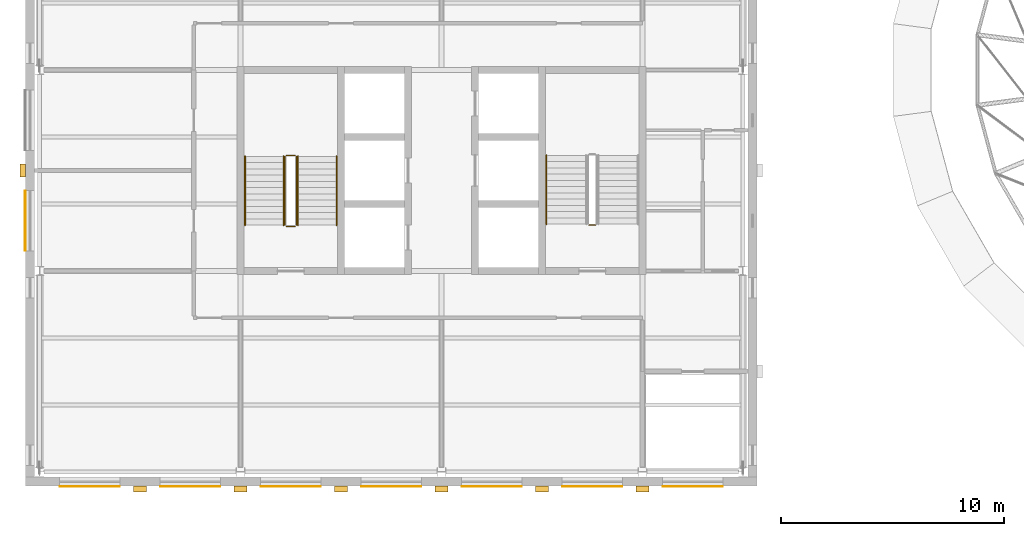
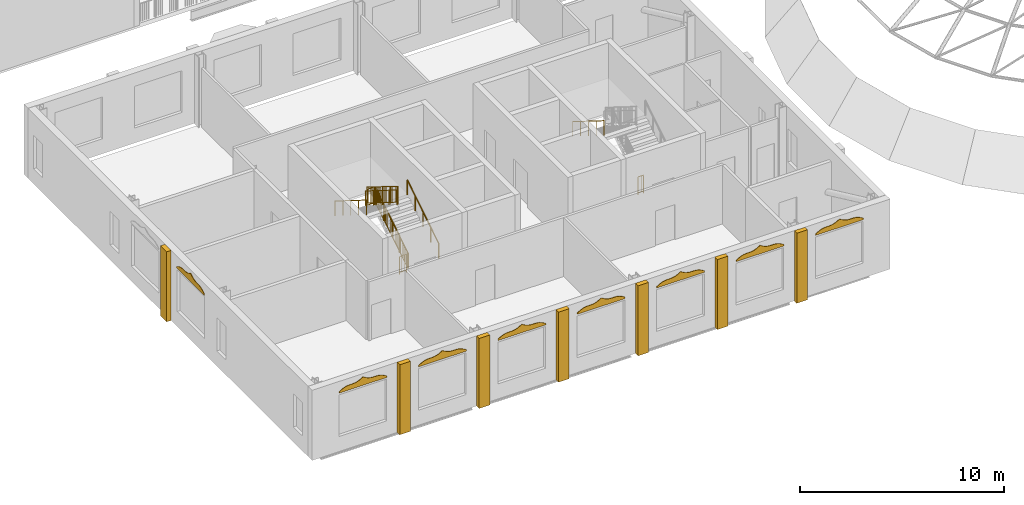
# One storey, part 31 of 33: 15 coverings, 10 railings.
"""IFC4 building model written with IfcOpenShell, lengths in metres."""

from ifc_helpers import new_model, si_unit, direction, frame, origin, origin_2d, place, context, subcontext, project, spatial, polyline, rectangle, circle, outline, extrude, material, layer, layer_set, type_object, element, save


model = new_model("IFC4")

# Units and contexts
model_context = context("Model", 3, precision=1e-05, world=origin(), true_north=direction((0.0, 1.0)))
body_context = subcontext(model_context, "Body", "Model", "MODEL_VIEW")
ifc_project = project(units=[si_unit("LENGTHUNIT", "METRE"), si_unit("AREAUNIT", "SQUARE_METRE"), si_unit("VOLUMEUNIT", "CUBIC_METRE"), si_unit("PLANEANGLEUNIT", "RADIAN"), si_unit("MASSUNIT", "GRAM", prefix="KILO")], contexts=[model_context])

# Site, building, storey
site_placement = place(None, origin())
site = spatial("IfcSite", under=ifc_project, at=site_placement, CompositionType="ELEMENT")
building_placement = place(site_placement, origin())
building = spatial("IfcBuilding", under=site, at=building_placement, Name="Hortulan Conservatory and Botanical Research Centre", CompositionType="ELEMENT")
storey_placement = place(building_placement, frame((0.0, 0.0, 19.199951171875)))
storey = spatial("IfcBuildingStorey", under=building, at=storey_placement, Name="L04", CompositionType="ELEMENT", Elevation=19.199951171875)

# Coverings
ifc_material_1 = material(Name="Faience cladding, cream glaze (non-combustible)", Category="ceramic")
ifc_layer_1 = layer(ifc_material_1, 0.030029296875)
ifc_layer_set_1 = layer_set([ifc_layer_1], Name="Faience Ogee Head Panel Cream 2700x500")
covering_type_1 = type_object("IfcCoveringType", Name="Faience Ogee Head Panel Cream 2700x500", PredefinedType="CLADDING", material=ifc_layer_set_1)
for number, where, z_axis, x_axis, name in (
    (1, (17.10009765625, -0.65087890625, 3.52001953125), (0.0, 0.0, 1.0), (-1.0, 0.0, 0.0), "Ogee head panel"),
    (2, (21.60009765625, -0.65087890625, 3.52001953125), (0.0, 0.0, 1.0), (-1.0, 0.0, 0.0), "Ogee head panel"),
):
    element("IfcCovering", number, at=place(storey_placement, frame(where, z_axis=z_axis, x_axis=x_axis)), inside=storey, type_object=covering_type_1, Name=name, PredefinedType="CLADDING", context=body_context, shape_type="SweptSolid", body=[
        extrude(outline(polyline([(0.0, 0.0), (2.699951171875, 0.0), (2.699951171875, 0.080078125), (2.58740234375, 0.148681640625), (2.47509765625, 0.208251953125), (2.362548828125, 0.252197265625), (2.25, 0.2783203125), (2.137451171875, 0.28857421875), (2.02490234375, 0.2900390625), (1.91259765625, 0.29150390625), (1.800048828125, 0.3017578125), (1.6875, 0.327880859375), (1.574951171875, 0.371826171875), (1.46240234375, 0.431396484375), (1.35009765625, 0.5), (1.237548828125, 0.431396484375), (1.125, 0.371826171875), (1.012451171875, 0.327880859375), (0.89990234375, 0.3017578125), (0.78759765625, 0.29150390625), (0.675048828125, 0.2900390625), (0.5625, 0.28857421875), (0.449951171875, 0.2783203125), (0.33740234375, 0.252197265625), (0.22509765625, 0.208251953125), (0.112548828125, 0.148681640625), (0.0, 0.080078125), (0.0, 0.0)])), frame((0.0, 0.01513671875, 0.0), z_axis=(0.0, -1.0, 0.0), x_axis=(1.0, 0.0, 0.0)), (0.0, 0.0, 1.0), 0.030029296875),
    ])
ifc_material_2 = material(Name="Faience cladding, waratah crimson glaze (non-combustible)", Category="ceramic")
ifc_layer_2 = layer(ifc_material_2, 0.030029296875)
ifc_layer_set_2 = layer_set([ifc_layer_2], Name="Faience Ogee Head Panel Crimson 2700x500")
covering_type_2 = type_object("IfcCoveringType", Name="Faience Ogee Head Panel Crimson 2700x500", PredefinedType="CLADDING", material=ifc_layer_set_2)
for number, where, z_axis, x_axis, name in (
    (3, (3.60009765625, -0.65087890625, 3.52001953125), (0.0, 0.0, 1.0), (-1.0, 0.0, 0.0), "Ogee head panel"),
    (4, (26.10009765625, -0.65087890625, 3.52001953125), (0.0, 0.0, 1.0), (-1.0, 0.0, 0.0), "Ogee head panel"),
    (5, (30.60009765625, -0.65087890625, 3.52001953125), (0.0, 0.0, 1.0), (-1.0, 0.0, 0.0), "Ogee head panel"),
):
    element("IfcCovering", number, at=place(storey_placement, frame(where, z_axis=z_axis, x_axis=x_axis)), inside=storey, type_object=covering_type_2, Name=name, PredefinedType="CLADDING", context=body_context, shape_type="SweptSolid", body=[
        extrude(outline(polyline([(0.0, 0.0), (2.699951171875, 0.0), (2.699951171875, 0.080078125), (2.58740234375, 0.148681640625), (2.47509765625, 0.208251953125), (2.362548828125, 0.252197265625), (2.25, 0.2783203125), (2.137451171875, 0.28857421875), (2.02490234375, 0.2900390625), (1.91259765625, 0.29150390625), (1.800048828125, 0.3017578125), (1.6875, 0.327880859375), (1.574951171875, 0.371826171875), (1.46240234375, 0.431396484375), (1.35009765625, 0.5), (1.237548828125, 0.431396484375), (1.125, 0.371826171875), (1.012451171875, 0.327880859375), (0.89990234375, 0.3017578125), (0.78759765625, 0.29150390625), (0.675048828125, 0.2900390625), (0.5625, 0.28857421875), (0.449951171875, 0.2783203125), (0.33740234375, 0.252197265625), (0.22509765625, 0.208251953125), (0.112548828125, 0.148681640625), (0.0, 0.080078125), (0.0, 0.0)])), frame((0.0, 0.01513671875, 0.0), z_axis=(0.0, -1.0, 0.0), x_axis=(1.0, 0.0, 0.0)), (0.0, 0.0, 1.0), 0.030029296875),
    ])
ifc_material_3 = material(Name="Faience cladding, harbour teal glaze (non-combustible)", Category="ceramic")
ifc_layer_3 = layer(ifc_material_3, 0.030029296875)
ifc_layer_set_3 = layer_set([ifc_layer_3], Name="Faience Ogee Head Panel Teal 2700x500")
covering_type_3 = type_object("IfcCoveringType", Name="Faience Ogee Head Panel Teal 2700x500", PredefinedType="CLADDING", material=ifc_layer_set_3)
for number, where, z_axis, x_axis, name in (
    (6, (8.10009765625, -0.65087890625, 3.52001953125), (0.0, 0.0, 1.0), (-1.0, 0.0, 0.0), "Ogee head panel"),
    (7, (12.60009765625, -0.65087890625, 3.52001953125), (0.0, 0.0, 1.0), (-1.0, 0.0, 0.0), "Ogee head panel"),
    (8, (-0.639892578125, 9.89990234375, 3.52001953125), (0.0, 0.0, 1.0), (0.0, 1.0, 0.0), "Ogee head panel"),
):
    element("IfcCovering", number, at=place(storey_placement, frame(where, z_axis=z_axis, x_axis=x_axis)), inside=storey, type_object=covering_type_3, Name=name, PredefinedType="CLADDING", context=body_context, shape_type="SweptSolid", body=[
        extrude(outline(polyline([(0.0, 0.0), (2.699951171875, 0.0), (2.699951171875, 0.080078125), (2.58740234375, 0.148681640625), (2.47509765625, 0.208251953125), (2.362548828125, 0.252197265625), (2.25, 0.2783203125), (2.137451171875, 0.28857421875), (2.02490234375, 0.2900390625), (1.91259765625, 0.29150390625), (1.800048828125, 0.3017578125), (1.6875, 0.327880859375), (1.574951171875, 0.371826171875), (1.46240234375, 0.431396484375), (1.35009765625, 0.5), (1.237548828125, 0.431396484375), (1.125, 0.371826171875), (1.012451171875, 0.327880859375), (0.89990234375, 0.3017578125), (0.78759765625, 0.29150390625), (0.675048828125, 0.2900390625), (0.5625, 0.28857421875), (0.449951171875, 0.2783203125), (0.33740234375, 0.252197265625), (0.22509765625, 0.208251953125), (0.112548828125, 0.148681640625), (0.0, 0.080078125), (0.0, 0.0)])), frame((0.0, 0.01513671875, 0.0), z_axis=(0.0, -1.0, 0.0), x_axis=(1.0, 0.0, 0.0)), (0.0, 0.0, 1.0), 0.030029296875),
    ])
ifc_layer_4 = layer(ifc_material_1, 0.25)
ifc_layer_set_4 = layer_set([ifc_layer_4], Name="Faience Pilaster 600x250")
covering_type_4 = type_object("IfcCoveringType", Name="Faience Pilaster 600x250", PredefinedType="CLADDING", material=ifc_layer_set_4)
for number, where, z_axis, x_axis, name in (
    (9, (27.0, -0.760986328125, 0.0), (0.0, 0.0, 1.0), (-1.0, 0.0, 0.0), "Pier"),
    (10, (22.5, -0.760986328125, 0.0), (0.0, 0.0, 1.0), (-1.0, 0.0, 0.0), "Pier"),
    (11, (18.0, -0.760986328125, 0.0), (0.0, 0.0, 1.0), (-1.0, 0.0, 0.0), "Pier"),
    (12, (13.5, -0.760986328125, 0.0), (0.0, 0.0, 1.0), (-1.0, 0.0, 0.0), "Pier"),
    (13, (9.0, -0.760986328125, 0.0), (0.0, 0.0, 1.0), (-1.0, 0.0, 0.0), "Pier"),
    (14, (4.5, -0.760986328125, 0.0), (0.0, 0.0, 1.0), (-1.0, 0.0, 0.0), "Pier"),
    (15, (-0.75, 13.5, 0.0), (0.0, 0.0, 1.0), (0.0, 1.0, 0.0), "Pier"),
):
    element("IfcCovering", number, at=place(storey_placement, frame(where, z_axis=z_axis, x_axis=x_axis)), inside=storey, type_object=covering_type_4, Name=name, PredefinedType="CLADDING", context=body_context, shape_type="SweptSolid", body=[
        extrude(rectangle(XDim=0.60009765625, YDim=0.25, at=origin_2d()), origin(), (0.0, 0.0, 1.0), 4.199951171875),
    ])

# Railings
ifc_material_4 = material(Name="Steel balustrade, bronze-charcoal paint", Category="steel")
railing_type_1 = type_object("IfcRailingType", Name="Stair Guard 1100", PredefinedType="GUARDRAIL", material=ifc_material_4)
railing_1_placement = place(storey_placement, frame((11.5, 11.050048828125, 0.175048828125)))
element("IfcRailing", 16, at=railing_1_placement, inside=storey, type_object=railing_type_1, Name="Guard T1 L04 stair 1", PredefinedType="GUARDRAIL", context=body_context, shape_type="SweptSolid", body=[
    extrude(circle(Radius=0.02392578125, at=origin_2d()), frame((0.0, 0.0, 1.076171875), z_axis=(0.0, 0.847979421464, 0.530029150871), x_axis=(-1.0, 0.0, 0.0)), (0.0, 0.0, 1.0), 3.632080078125),
    extrude(circle(Radius=0.02392578125, at=origin_2d()), frame((0.0, 0.0, 0.1240234375), z_axis=(0.0, 0.847979421464, 0.530029150871), x_axis=(-1.0, 0.0, 0.0)), (0.0, 0.0, 1.0), 3.632080078125),
    extrude(circle(Radius=0.008056640625, at=origin_2d()), frame((0.0, 0.090576171875, 0.204833984375)), (0.0, 0.0, 1.0), 0.90380859375),
    extrude(circle(Radius=0.008056640625, at=origin_2d()), frame((0.0, 0.18115234375, 0.261474609375)), (0.0, 0.0, 1.0), 0.90380859375),
    extrude(circle(Radius=0.008056640625, at=origin_2d()), frame((0.0, 0.271728515625, 0.318115234375)), (0.0, 0.0, 1.0), 0.90380859375),
    extrude(circle(Radius=0.008056640625, at=origin_2d()), frame((0.0, 0.3623046875, 0.374755859375)), (0.0, 0.0, 1.0), 0.90380859375),
    extrude(circle(Radius=0.008056640625, at=origin_2d()), frame((0.0, 0.452880859375, 0.431396484375)), (0.0, 0.0, 1.0), 0.90380859375),
    extrude(circle(Radius=0.008056640625, at=origin_2d()), frame((0.0, 0.54345703125, 0.48779296875)), (0.0, 0.0, 1.0), 0.90380859375),
    extrude(circle(Radius=0.008056640625, at=origin_2d()), frame((0.0, 0.634033203125, 0.54443359375)), (0.0, 0.0, 1.0), 0.90380859375),
    extrude(circle(Radius=0.008056640625, at=origin_2d()), frame((0.0, 0.724609375, 0.60107421875)), (0.0, 0.0, 1.0), 0.90380859375),
    extrude(circle(Radius=0.008056640625, at=origin_2d()), frame((0.0, 0.815185546875, 0.65771484375)), (0.0, 0.0, 1.0), 0.90380859375),
    extrude(circle(Radius=0.008056640625, at=origin_2d()), frame((0.0, 0.90576171875, 0.71435546875)), (0.0, 0.0, 1.0), 0.90380859375),
    extrude(circle(Radius=0.008056640625, at=origin_2d()), frame((0.0, 0.996337890625, 0.77099609375)), (0.0, 0.0, 1.0), 0.90380859375),
    extrude(circle(Radius=0.008056640625, at=origin_2d()), frame((0.0, 1.0869140625, 0.82763671875)), (0.0, 0.0, 1.0), 0.90380859375),
    extrude(circle(Radius=0.008056640625, at=origin_2d()), frame((0.0, 1.177490234375, 0.88427734375)), (0.0, 0.0, 1.0), 0.90380859375),
    extrude(circle(Radius=0.008056640625, at=origin_2d()), frame((0.0, 1.26806640625, 0.94091796875)), (0.0, 0.0, 1.0), 0.90380859375),
    extrude(circle(Radius=0.008056640625, at=origin_2d()), frame((0.0, 1.358642578125, 0.99755859375)), (0.0, 0.0, 1.0), 0.90380859375),
    extrude(circle(Radius=0.008056640625, at=origin_2d()), frame((0.0, 1.44921875, 1.05419921875)), (0.0, 0.0, 1.0), 0.90380859375),
    extrude(circle(Radius=0.008056640625, at=origin_2d()), frame((0.0, 1.5400390625, 1.11083984375)), (0.0, 0.0, 1.0), 0.90380859375),
    extrude(circle(Radius=0.008056640625, at=origin_2d()), frame((0.0, 1.630615234375, 1.167236328125)), (0.0, 0.0, 1.0), 0.90380859375),
    extrude(circle(Radius=0.008056640625, at=origin_2d()), frame((0.0, 1.72119140625, 1.223876953125)), (0.0, 0.0, 1.0), 0.90380859375),
    extrude(circle(Radius=0.008056640625, at=origin_2d()), frame((0.0, 1.811767578125, 1.280517578125)), (0.0, 0.0, 1.0), 0.90380859375),
    extrude(circle(Radius=0.008056640625, at=origin_2d()), frame((0.0, 1.90234375, 1.337158203125)), (0.0, 0.0, 1.0), 0.90380859375),
    extrude(circle(Radius=0.008056640625, at=origin_2d()), frame((0.0, 1.992919921875, 1.393798828125)), (0.0, 0.0, 1.0), 0.90380859375),
    extrude(circle(Radius=0.008056640625, at=origin_2d()), frame((0.0, 2.08349609375, 1.450439453125)), (0.0, 0.0, 1.0), 0.90380859375),
    extrude(circle(Radius=0.008056640625, at=origin_2d()), frame((0.0, 2.174072265625, 1.507080078125)), (0.0, 0.0, 1.0), 0.90380859375),
    extrude(circle(Radius=0.008056640625, at=origin_2d()), frame((0.0, 2.2646484375, 1.563720703125)), (0.0, 0.0, 1.0), 0.90380859375),
    extrude(circle(Radius=0.008056640625, at=origin_2d()), frame((0.0, 2.355224609375, 1.620361328125)), (0.0, 0.0, 1.0), 0.90380859375),
    extrude(circle(Radius=0.008056640625, at=origin_2d()), frame((0.0, 2.44580078125, 1.677001953125)), (0.0, 0.0, 1.0), 0.90380859375),
    extrude(circle(Radius=0.008056640625, at=origin_2d()), frame((0.0, 2.536376953125, 1.733642578125)), (0.0, 0.0, 1.0), 0.90380859375),
    extrude(circle(Radius=0.008056640625, at=origin_2d()), frame((0.0, 2.626953125, 1.7900390625)), (0.0, 0.0, 1.0), 0.90380859375),
    extrude(circle(Radius=0.008056640625, at=origin_2d()), frame((0.0, 2.717529296875, 1.8466796875)), (0.0, 0.0, 1.0), 0.90380859375),
    extrude(circle(Radius=0.008056640625, at=origin_2d()), frame((0.0, 2.80810546875, 1.9033203125)), (0.0, 0.0, 1.0), 0.90380859375),
    extrude(circle(Radius=0.008056640625, at=origin_2d()), frame((0.0, 2.898681640625, 1.9599609375)), (0.0, 0.0, 1.0), 0.90380859375),
    extrude(circle(Radius=0.008056640625, at=origin_2d()), frame((0.0, 2.9892578125, 2.0166015625)), (0.0, 0.0, 1.0), 0.90380859375),
    extrude(circle(Radius=0.02099609375, at=origin_2d()), origin(), (0.0, 0.0, 1.0), 1.052001953125),
    extrude(circle(Radius=0.02099609375, at=origin_2d()), frame((0.0, 0.77001953125, 0.481201171875)), (0.0, 0.0, 1.0), 1.052001953125),
    extrude(circle(Radius=0.02099609375, at=origin_2d()), frame((0.0, 1.5400390625, 0.96240234375)), (0.0, 0.0, 1.0), 1.052001953125),
    extrude(circle(Radius=0.02099609375, at=origin_2d()), frame((0.0, 2.309814453125, 1.44384765625)), (0.0, 0.0, 1.0), 1.052001953125),
    extrude(circle(Radius=0.02099609375, at=origin_2d()), frame((0.0, 3.079833984375, 1.925048828125)), (0.0, 0.0, 1.0), 1.052001953125),
])
railing_2_placement = place(storey_placement, frame((11.449951171875, 14.179931640625, 2.10009765625)))
element("IfcRailing", 17, at=railing_2_placement, inside=storey, type_object=railing_type_1, Name="Guard T1 L04 stair 2", PredefinedType="GUARDRAIL", context=body_context, shape_type="SweptSolid", body=[
    extrude(circle(Radius=0.02392578125, at=origin_2d()), frame((0.0, 0.0, 1.076171875), z_axis=(-1.0, 0.0, 0.0), x_axis=(0.0, -1.0, 0.0)), (0.0, 0.0, 1.0), 0.39990234375),
    extrude(circle(Radius=0.02392578125, at=origin_2d()), frame((0.0, 0.0, 0.1240234375), z_axis=(-1.0, 0.0, 0.0), x_axis=(0.0, -1.0, 0.0)), (0.0, 0.0, 1.0), 0.39990234375),
    extrude(circle(Radius=0.008056640625, at=origin_2d()), frame((-0.10009765625, 0.0, 0.148193359375)), (0.0, 0.0, 1.0), 0.90380859375),
    extrude(circle(Radius=0.008056640625, at=origin_2d()), frame((-0.199951171875, 0.0, 0.148193359375)), (0.0, 0.0, 1.0), 0.90380859375),
    extrude(circle(Radius=0.008056640625, at=origin_2d()), frame((-0.2998046875, 0.0, 0.148193359375)), (0.0, 0.0, 1.0), 0.90380859375),
    extrude(circle(Radius=0.02099609375, at=origin_2d()), origin(), (0.0, 0.0, 1.0), 1.052001953125),
    extrude(circle(Radius=0.02099609375, at=origin_2d()), frame((-0.39990234375, 0.0, 0.0)), (0.0, 0.0, 1.0), 1.052001953125),
])
railing_3_placement = place(storey_placement, frame((11.0, 14.1298828125, 2.275146484375)))
element("IfcRailing", 18, at=railing_3_placement, inside=storey, type_object=railing_type_1, Name="Guard T1 L04 stair 3", PredefinedType="GUARDRAIL", context=body_context, shape_type="SweptSolid", body=[
    extrude(circle(Radius=0.02392578125, at=origin_2d()), frame((0.0, 0.0, 1.076171875), z_axis=(0.0, -0.848009633417, 0.529980812513), x_axis=(1.0, 0.0, 0.0)), (0.0, 0.0, 1.0), 3.6318359375),
    extrude(circle(Radius=0.02392578125, at=origin_2d()), frame((0.0, 0.0, 0.1240234375), z_axis=(0.0, -0.848009633417, 0.529980812513), x_axis=(1.0, 0.0, 0.0)), (0.0, 0.0, 1.0), 3.6318359375),
    extrude(circle(Radius=0.008056640625, at=origin_2d()), frame((0.0, -0.090576171875, 0.204833984375)), (0.0, 0.0, 1.0), 0.90380859375),
    extrude(circle(Radius=0.008056640625, at=origin_2d()), frame((0.0, -0.18115234375, 0.261474609375)), (0.0, 0.0, 1.0), 0.90380859375),
    extrude(circle(Radius=0.008056640625, at=origin_2d()), frame((0.0, -0.271728515625, 0.318115234375)), (0.0, 0.0, 1.0), 0.90380859375),
    extrude(circle(Radius=0.008056640625, at=origin_2d()), frame((0.0, -0.3623046875, 0.374755859375)), (0.0, 0.0, 1.0), 0.90380859375),
    extrude(circle(Radius=0.008056640625, at=origin_2d()), frame((0.0, -0.452880859375, 0.43115234375)), (0.0, 0.0, 1.0), 0.90380859375),
    extrude(circle(Radius=0.008056640625, at=origin_2d()), frame((0.0, -0.54345703125, 0.48779296875)), (0.0, 0.0, 1.0), 0.90380859375),
    extrude(circle(Radius=0.008056640625, at=origin_2d()), frame((0.0, -0.634033203125, 0.54443359375)), (0.0, 0.0, 1.0), 0.90380859375),
    extrude(circle(Radius=0.008056640625, at=origin_2d()), frame((0.0, -0.724609375, 0.60107421875)), (0.0, 0.0, 1.0), 0.90380859375),
    extrude(circle(Radius=0.008056640625, at=origin_2d()), frame((0.0, -0.815185546875, 0.65771484375)), (0.0, 0.0, 1.0), 0.90380859375),
    extrude(circle(Radius=0.008056640625, at=origin_2d()), frame((0.0, -0.90576171875, 0.71435546875)), (0.0, 0.0, 1.0), 0.90380859375),
    extrude(circle(Radius=0.008056640625, at=origin_2d()), frame((0.0, -0.996337890625, 0.77099609375)), (0.0, 0.0, 1.0), 0.90380859375),
    extrude(circle(Radius=0.008056640625, at=origin_2d()), frame((0.0, -1.0869140625, 0.82763671875)), (0.0, 0.0, 1.0), 0.90380859375),
    extrude(circle(Radius=0.008056640625, at=origin_2d()), frame((0.0, -1.177490234375, 0.884033203125)), (0.0, 0.0, 1.0), 0.90380859375),
    extrude(circle(Radius=0.008056640625, at=origin_2d()), frame((0.0, -1.26806640625, 0.940673828125)), (0.0, 0.0, 1.0), 0.90380859375),
    extrude(circle(Radius=0.008056640625, at=origin_2d()), frame((0.0, -1.358642578125, 0.997314453125)), (0.0, 0.0, 1.0), 0.90380859375),
    extrude(circle(Radius=0.008056640625, at=origin_2d()), frame((0.0, -1.44921875, 1.053955078125)), (0.0, 0.0, 1.0), 0.90380859375),
    extrude(circle(Radius=0.008056640625, at=origin_2d()), frame((0.0, -1.5400390625, 1.110595703125)), (0.0, 0.0, 1.0), 0.90380859375),
    extrude(circle(Radius=0.008056640625, at=origin_2d()), frame((0.0, -1.630615234375, 1.167236328125)), (0.0, 0.0, 1.0), 0.90380859375),
    extrude(circle(Radius=0.008056640625, at=origin_2d()), frame((0.0, -1.72119140625, 1.223876953125)), (0.0, 0.0, 1.0), 0.90380859375),
    extrude(circle(Radius=0.008056640625, at=origin_2d()), frame((0.0, -1.811767578125, 1.280517578125)), (0.0, 0.0, 1.0), 0.90380859375),
    extrude(circle(Radius=0.008056640625, at=origin_2d()), frame((0.0, -1.90234375, 1.337158203125)), (0.0, 0.0, 1.0), 0.90380859375),
    extrude(circle(Radius=0.008056640625, at=origin_2d()), frame((0.0, -1.992919921875, 1.3935546875)), (0.0, 0.0, 1.0), 0.90380859375),
    extrude(circle(Radius=0.008056640625, at=origin_2d()), frame((0.0, -2.08349609375, 1.4501953125)), (0.0, 0.0, 1.0), 0.90380859375),
    extrude(circle(Radius=0.008056640625, at=origin_2d()), frame((0.0, -2.174072265625, 1.5068359375)), (0.0, 0.0, 1.0), 0.90380859375),
    extrude(circle(Radius=0.008056640625, at=origin_2d()), frame((0.0, -2.2646484375, 1.5634765625)), (0.0, 0.0, 1.0), 0.90380859375),
    extrude(circle(Radius=0.008056640625, at=origin_2d()), frame((0.0, -2.355224609375, 1.6201171875)), (0.0, 0.0, 1.0), 0.90380859375),
    extrude(circle(Radius=0.008056640625, at=origin_2d()), frame((0.0, -2.44580078125, 1.6767578125)), (0.0, 0.0, 1.0), 0.90380859375),
    extrude(circle(Radius=0.008056640625, at=origin_2d()), frame((0.0, -2.536376953125, 1.7333984375)), (0.0, 0.0, 1.0), 0.90380859375),
    extrude(circle(Radius=0.008056640625, at=origin_2d()), frame((0.0, -2.626953125, 1.7900390625)), (0.0, 0.0, 1.0), 0.90380859375),
    extrude(circle(Radius=0.008056640625, at=origin_2d()), frame((0.0, -2.717529296875, 1.846435546875)), (0.0, 0.0, 1.0), 0.90380859375),
    extrude(circle(Radius=0.008056640625, at=origin_2d()), frame((0.0, -2.80810546875, 1.903076171875)), (0.0, 0.0, 1.0), 0.90380859375),
    extrude(circle(Radius=0.008056640625, at=origin_2d()), frame((0.0, -2.898681640625, 1.959716796875)), (0.0, 0.0, 1.0), 0.90380859375),
    extrude(circle(Radius=0.008056640625, at=origin_2d()), frame((0.0, -2.9892578125, 2.016357421875)), (0.0, 0.0, 1.0), 0.90380859375),
    extrude(circle(Radius=0.02099609375, at=origin_2d()), origin(), (0.0, 0.0, 1.0), 1.052001953125),
    extrude(circle(Radius=0.02099609375, at=origin_2d()), frame((0.0, -0.77001953125, 0.481201171875)), (0.0, 0.0, 1.0), 1.052001953125),
    extrude(circle(Radius=0.02099609375, at=origin_2d()), frame((0.0, -1.5400390625, 0.96240234375)), (0.0, 0.0, 1.0), 1.052001953125),
    extrude(circle(Radius=0.02099609375, at=origin_2d()), frame((0.0, -2.309814453125, 1.443603515625)), (0.0, 0.0, 1.0), 1.052001953125),
    extrude(circle(Radius=0.02099609375, at=origin_2d()), frame((0.0, -3.079833984375, 1.9248046875)), (0.0, 0.0, 1.0), 1.052001953125),
])
railing_4_placement = place(storey_placement, frame((11.449951171875, 11.0, 0.0)))
element("IfcRailing", 19, at=railing_4_placement, inside=storey, type_object=railing_type_1, Name="Guard T1 L04 stair 4", PredefinedType="GUARDRAIL", context=body_context, shape_type="SweptSolid", body=[
    extrude(circle(Radius=0.02392578125, at=origin_2d()), frame((0.0, 0.0, 1.076171875), z_axis=(-1.0, 0.0, 0.0), x_axis=(0.0, -1.0, 0.0)), (0.0, 0.0, 1.0), 0.39990234375),
    extrude(circle(Radius=0.02392578125, at=origin_2d()), frame((0.0, 0.0, 0.1240234375), z_axis=(-1.0, 0.0, 0.0), x_axis=(0.0, -1.0, 0.0)), (0.0, 0.0, 1.0), 0.39990234375),
    extrude(circle(Radius=0.008056640625, at=origin_2d()), frame((-0.10009765625, 0.0, 0.148193359375)), (0.0, 0.0, 1.0), 0.90380859375),
    extrude(circle(Radius=0.008056640625, at=origin_2d()), frame((-0.199951171875, 0.0, 0.148193359375)), (0.0, 0.0, 1.0), 0.90380859375),
    extrude(circle(Radius=0.008056640625, at=origin_2d()), frame((-0.2998046875, 0.0, 0.148193359375)), (0.0, 0.0, 1.0), 0.90380859375),
    extrude(circle(Radius=0.02099609375, at=origin_2d()), origin(), (0.0, 0.0, 1.0), 1.052001953125),
    extrude(circle(Radius=0.02099609375, at=origin_2d()), frame((-0.39990234375, 0.0, 0.0)), (0.0, 0.0, 1.0), 1.052001953125),
])
railing_5_placement = place(storey_placement, frame((24.89990234375, 11.050048828125, 0.0)))
element("IfcRailing", 20, at=railing_5_placement, inside=storey, type_object=railing_type_1, Name="Guard T2 L04 stair 4", PredefinedType="GUARDRAIL", context=body_context, shape_type="SweptSolid", body=[
    extrude(circle(Radius=0.02392578125, at=origin_2d()), frame((0.0, 0.0, 1.076171875), z_axis=(-1.0, 0.0, 0.0), x_axis=(0.0, -1.0, 0.0)), (0.0, 0.0, 1.0), 0.2998046875),
    extrude(circle(Radius=0.02392578125, at=origin_2d()), frame((0.0, 0.0, 0.1240234375), z_axis=(-1.0, 0.0, 0.0), x_axis=(0.0, -1.0, 0.0)), (0.0, 0.0, 1.0), 0.2998046875),
    extrude(circle(Radius=0.008056640625, at=origin_2d()), frame((-0.099853515625, 0.0, 0.148193359375)), (0.0, 0.0, 1.0), 0.90380859375),
    extrude(circle(Radius=0.008056640625, at=origin_2d()), frame((-0.199951171875, 0.0, 0.148193359375)), (0.0, 0.0, 1.0), 0.90380859375),
    extrude(circle(Radius=0.02099609375, at=origin_2d()), origin(), (0.0, 0.0, 1.0), 1.052001953125),
    extrude(circle(Radius=0.02099609375, at=origin_2d()), frame((-0.2998046875, 0.0, 0.0)), (0.0, 0.0, 1.0), 1.052001953125),
])
ifc_material_5 = material(Name="Bronze handrail, polished", Category="metal")
railing_type_2 = type_object("IfcRailingType", Name="Stair Handrail 900", PredefinedType="HANDRAIL", material=ifc_material_5)
railing_6_placement = place(storey_placement, frame((13.300048828125, 11.050048828125, 0.175048828125)))
element("IfcRailing", 21, at=railing_6_placement, inside=storey, type_object=railing_type_2, Name="Handrail T1 L04 stair 1", PredefinedType="HANDRAIL", context=body_context, shape_type="SweptSolid", body=[
    extrude(circle(Radius=0.02392578125, at=origin_2d()), frame((0.0, 0.0, 0.8759765625), z_axis=(0.0, 0.847979421464, 0.530029150871), x_axis=(-1.0, 0.0, 0.0)), (0.0, 0.0, 1.0), 3.632080078125),
    extrude(circle(Radius=0.02099609375, at=origin_2d()), origin(), (0.0, 0.0, 1.0), 0.851806640625),
    extrude(circle(Radius=0.02099609375, at=origin_2d()), frame((0.0, 0.77001953125, 0.481201171875)), (0.0, 0.0, 1.0), 0.851806640625),
    extrude(circle(Radius=0.02099609375, at=origin_2d()), frame((0.0, 1.5400390625, 0.96240234375)), (0.0, 0.0, 1.0), 0.851806640625),
    extrude(circle(Radius=0.02099609375, at=origin_2d()), frame((0.0, 2.309814453125, 1.44384765625)), (0.0, 0.0, 1.0), 0.851806640625),
    extrude(circle(Radius=0.02099609375, at=origin_2d()), frame((0.0, 3.079833984375, 1.925048828125)), (0.0, 0.0, 1.0), 0.851806640625),
])
railing_7_placement = place(storey_placement, frame((9.199951171875, 14.1298828125, 2.275146484375)))
element("IfcRailing", 22, at=railing_7_placement, inside=storey, type_object=railing_type_2, Name="Handrail T1 L04 stair 2", PredefinedType="HANDRAIL", context=body_context, shape_type="SweptSolid", body=[
    extrude(circle(Radius=0.02392578125, at=origin_2d()), frame((0.0, 0.0, 0.8759765625), z_axis=(0.0, -0.848009633417, 0.529980812513), x_axis=(1.0, 0.0, 0.0)), (0.0, 0.0, 1.0), 3.6318359375),
    extrude(circle(Radius=0.02099609375, at=origin_2d()), origin(), (0.0, 0.0, 1.0), 0.851806640625),
    extrude(circle(Radius=0.02099609375, at=origin_2d()), frame((0.0, -0.77001953125, 0.481201171875)), (0.0, 0.0, 1.0), 0.851806640625),
    extrude(circle(Radius=0.02099609375, at=origin_2d()), frame((0.0, -1.5400390625, 0.96240234375)), (0.0, 0.0, 1.0), 0.851806640625),
    extrude(circle(Radius=0.02099609375, at=origin_2d()), frame((0.0, -2.309814453125, 1.443603515625)), (0.0, 0.0, 1.0), 0.851806640625),
    extrude(circle(Radius=0.02099609375, at=origin_2d()), frame((0.0, -3.079833984375, 1.9248046875)), (0.0, 0.0, 1.0), 0.851806640625),
])
railing_8_placement = place(storey_placement, frame((11.570068359375, 11.050048828125, 0.175048828125)))
element("IfcRailing", 23, at=railing_8_placement, inside=storey, type_object=railing_type_2, Name="Handrail T1 L04 stair 3", PredefinedType="HANDRAIL", context=body_context, shape_type="SweptSolid", body=[
    extrude(circle(Radius=0.02392578125, at=origin_2d()), frame((0.0, 0.0, 0.8759765625), z_axis=(0.0, 0.847979421464, 0.530029150871), x_axis=(-1.0, 0.0, 0.0)), (0.0, 0.0, 1.0), 3.632080078125),
    extrude(circle(Radius=0.02099609375, at=origin_2d()), origin(), (0.0, 0.0, 1.0), 0.851806640625),
    extrude(circle(Radius=0.02099609375, at=origin_2d()), frame((0.0, 0.77001953125, 0.481201171875)), (0.0, 0.0, 1.0), 0.851806640625),
    extrude(circle(Radius=0.02099609375, at=origin_2d()), frame((0.0, 1.5400390625, 0.96240234375)), (0.0, 0.0, 1.0), 0.851806640625),
    extrude(circle(Radius=0.02099609375, at=origin_2d()), frame((0.0, 2.309814453125, 1.44384765625)), (0.0, 0.0, 1.0), 0.851806640625),
    extrude(circle(Radius=0.02099609375, at=origin_2d()), frame((0.0, 3.079833984375, 1.925048828125)), (0.0, 0.0, 1.0), 0.851806640625),
])
for number, where, name in (
    (24, (10.929931640625, 14.1298828125, 2.275146484375), "Handrail T1 L04 stair 4"),
    (25, (22.699951171875, 14.179931640625, 2.275146484375), "Handrail T2 L04 stair 2"),
):
    element("IfcRailing", number, at=place(storey_placement, frame(where)), inside=storey, type_object=railing_type_2, Name=name, PredefinedType="HANDRAIL", context=body_context, shape_type="SweptSolid", body=[
        extrude(circle(Radius=0.02392578125, at=origin_2d()), frame((0.0, 0.0, 0.8759765625), z_axis=(0.0, -0.848009633417, 0.529980812513), x_axis=(1.0, 0.0, 0.0)), (0.0, 0.0, 1.0), 3.6318359375),
        extrude(circle(Radius=0.02099609375, at=origin_2d()), origin(), (0.0, 0.0, 1.0), 0.851806640625),
        extrude(circle(Radius=0.02099609375, at=origin_2d()), frame((0.0, -0.77001953125, 0.481201171875)), (0.0, 0.0, 1.0), 0.851806640625),
        extrude(circle(Radius=0.02099609375, at=origin_2d()), frame((0.0, -1.5400390625, 0.96240234375)), (0.0, 0.0, 1.0), 0.851806640625),
        extrude(circle(Radius=0.02099609375, at=origin_2d()), frame((0.0, -2.309814453125, 1.443603515625)), (0.0, 0.0, 1.0), 0.851806640625),
        extrude(circle(Radius=0.02099609375, at=origin_2d()), frame((0.0, -3.079833984375, 1.9248046875)), (0.0, 0.0, 1.0), 0.851806640625),
    ])

save(model, "model.ifc")
